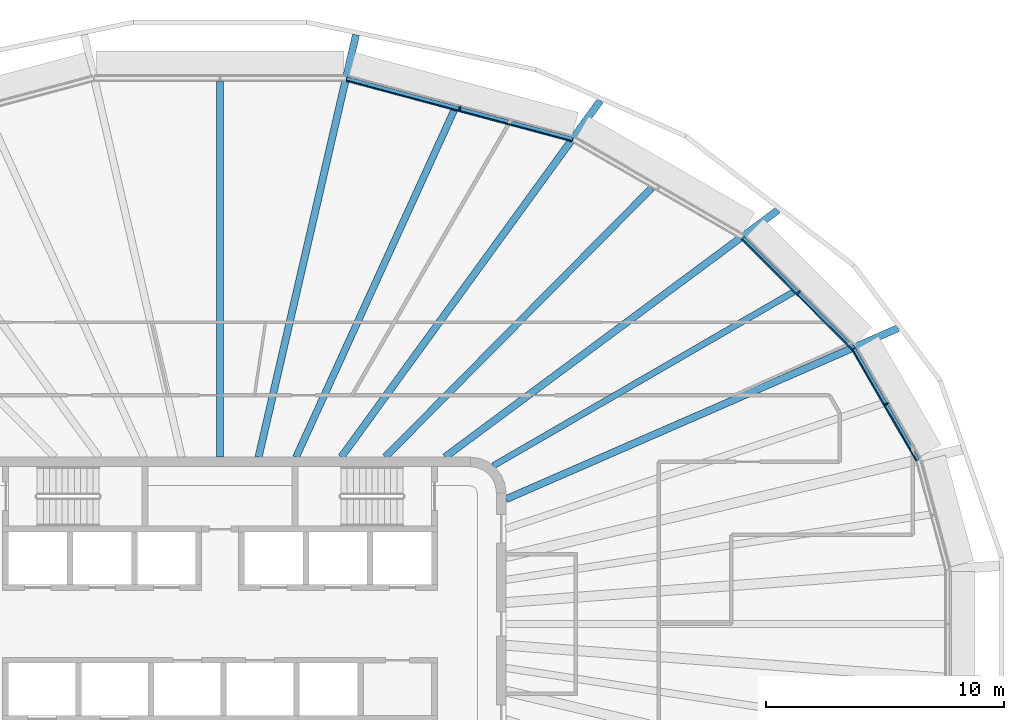
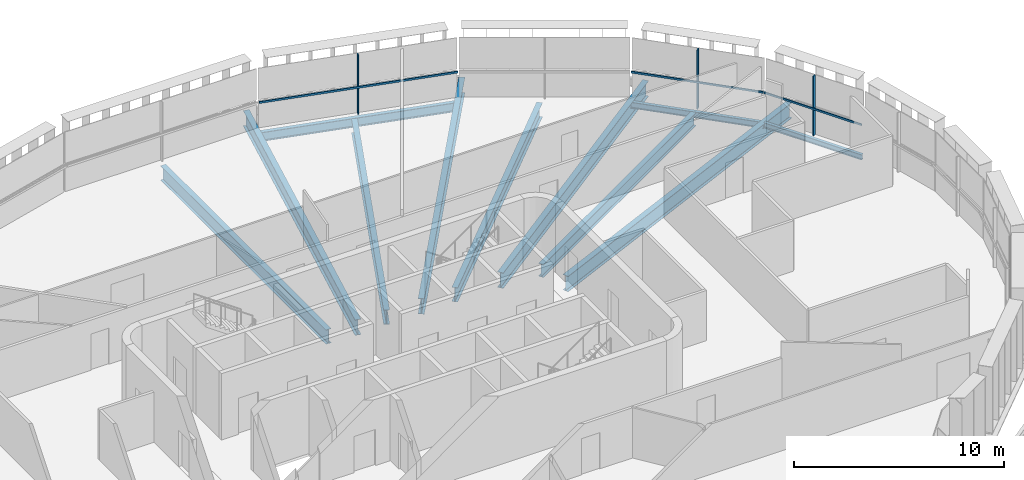
# One storey, part 6 of 20: 11 beams, 6 members, 3 elements without a shape of their own.
"""IFC4 building model written with IfcOpenShell, lengths in metres."""

from ifc_helpers import new_model, si_unit, direction, frame, origin, origin_2d, place, context, subcontext, project, spatial, rectangle, i_section, extrude, material, layer, layer_set, material_profile, profile_set, type_object, element, aggregate, save


model = new_model("IFC4")

# Units and contexts
model_context = context("Model", 3, precision=1e-05, world=origin(), true_north=direction((0.0, 1.0)))
body_context = subcontext(model_context, "Body", "Model", "MODEL_VIEW")
ifc_project = project(units=[si_unit("LENGTHUNIT", "METRE"), si_unit("AREAUNIT", "SQUARE_METRE"), si_unit("VOLUMEUNIT", "CUBIC_METRE"), si_unit("PLANEANGLEUNIT", "RADIAN"), si_unit("MASSUNIT", "GRAM", prefix="KILO")], contexts=[model_context])

# Site, building, storey
site_placement = place(None, origin())
site = spatial("IfcSite", under=ifc_project, at=site_placement, CompositionType="ELEMENT")
building_placement = place(site_placement, origin())
building = spatial("IfcBuilding", under=site, at=building_placement, Name="Sahrelin Media Tower", CompositionType="ELEMENT")
storey_placement = place(building_placement, frame((0.0, 0.0, 209.60009765625)))
storey = spatial("IfcBuildingStorey", under=building, at=storey_placement, Name="L44", CompositionType="ELEMENT", Elevation=209.60009765625)

# Beams
ifc_material_1 = material(Name="Steel S355", Category="steel")
ifc_material_profile_1 = material_profile(ifc_material_1, i_section(OverallWidth=0.1650390625, OverallDepth=0.303466796875, WebThickness=0.006103515625, FlangeThickness=0.01025390625, FilletRadius=0.0087890625, at=origin_2d()), Name="UB 305x165x40")
ifc_profile_set_1 = profile_set([ifc_material_profile_1], Name="Steel S355")
beam_type_1 = type_object("IfcBeamType", Name="Edge beam EB2", PredefinedType="BEAM", material=ifc_profile_set_1)
beam_1_placement = place(storey_placement, frame((26.58544921875, 11.538818359375, -0.3017578125), z_axis=(0.500001105423, -0.866024765567, 0.0), x_axis=(0.866024765567, 0.500001105423, 0.0)))
element("IfcBeam", 1, at=beam_1_placement, inside=storey, type_object=beam_type_1, Name="Edge beam L44-23", PredefinedType="BEAM", context=body_context, shape_type="SweptSolid", body=[
    extrude(i_section(OverallWidth=0.1650390625, OverallDepth=0.303466796875, WebThickness=0.006103515625, FlangeThickness=0.01025390625, FilletRadius=0.0087890625, at=origin_2d()), origin(), (0.0, 0.0, 1.0), 5.384765625),
])
ifc_material_profile_2 = material_profile(ifc_material_1, i_section(OverallWidth=0.17138671875, OverallDepth=0.35498046875, WebThickness=0.00732421875, FlangeThickness=0.011474609375, FilletRadius=0.01025390625, at=origin_2d()), Name="UB 356x171x51")
ifc_profile_set_2 = profile_set([ifc_material_profile_2], Name="Steel S355")
beam_type_2 = type_object("IfcBeamType", Name="Edge beam EB3", PredefinedType="BEAM", material=ifc_profile_set_2)
beam_2_placement = place(storey_placement, frame((21.93212890625, 16.197509765625, -0.32763671875), z_axis=(0.707106781187, -0.707106781187, 0.0), x_axis=(0.707106781187, 0.707106781187, 0.0)))
element("IfcBeam", 2, at=beam_2_placement, inside=storey, type_object=beam_type_2, Name="Edge beam L44-22", PredefinedType="BEAM", context=body_context, shape_type="SweptSolid", body=[
    extrude(i_section(OverallWidth=0.17138671875, OverallDepth=0.35498046875, WebThickness=0.00732421875, FlangeThickness=0.011474609375, FilletRadius=0.01025390625, at=origin_2d()), origin(), (0.0, 0.0, 1.0), 6.556396484375),
])
ifc_material_profile_3 = material_profile(ifc_material_1, i_section(OverallWidth=0.208740234375, OverallDepth=0.5283203125, WebThickness=0.009521484375, FlangeThickness=0.01318359375, FilletRadius=0.0126953125, at=origin_2d()), Name="UB 533x210x82")
ifc_profile_set_3 = profile_set([ifc_material_profile_3], Name="Steel S355")
beam_type_3 = type_object("IfcBeamType", Name="Edge beam EB6", PredefinedType="BEAM", material=ifc_profile_set_3)
beam_3_placement = place(storey_placement, frame((5.303955078125, 22.86181640625, -0.414306640625), z_axis=(0.965931078652, -0.258799442223, 0.0), x_axis=(0.258799442223, 0.965931078652, 0.0)))
element("IfcBeam", 3, at=beam_3_placement, inside=storey, type_object=beam_type_3, Name="Edge beam L44-20", PredefinedType="BEAM", context=body_context, shape_type="SweptSolid", body=[
    extrude(i_section(OverallWidth=0.208740234375, OverallDepth=0.5283203125, WebThickness=0.009521484375, FlangeThickness=0.01318359375, FilletRadius=0.0126953125, at=origin_2d()), origin(), (0.0, 0.0, 1.0), 9.8232421875),
])

# Curtain wall, member
ifc_material_2 = material(Name="Champagne anodised aluminium 6063-T6", Category="aluminium")
ifc_layer = layer(ifc_material_2, 0.14990234375)
ifc_layer_set = layer_set([ifc_layer], Name="Tower ribbon curtain wall")
curtain_wall_type = type_object("IfcCurtainWallType", Name="Tower ribbon curtain wall", PredefinedType="NOTDEFINED", material=ifc_layer_set)
curtain_wall_1_placement = place(storey_placement, frame((28.0615234375, 9.281982421875, 0.0), z_axis=(0.0, 0.0, 1.0), x_axis=(1.0, 0.0, 0.0)))
curtain_wall_1 = element("IfcCurtainWall", 4, at=curtain_wall_1_placement, inside=storey, type_object=curtain_wall_type, Name="L44:CW:L44-02", PredefinedType="NOTDEFINED")
ifc_material_profile_4 = material_profile(ifc_material_2, rectangle(XDim=0.06005859375, YDim=0.175048828125, at=origin_2d()), Name="Mullion 60x175")
ifc_profile_set_4 = profile_set([ifc_material_profile_4], Name="Champagne anodised aluminium 6063-T6")
member_type_1 = type_object("IfcMemberType", Name="Mullion 60x175 CW1B", PredefinedType="MULLION", material=ifc_profile_set_4)
member_1_placement = place(storey_placement, frame((27.968505859375, 9.228271484375, 0.0), z_axis=(0.0, 0.0, 1.0), x_axis=(-0.500001511499, 0.866024531118, 0.0)))
member_1 = element("IfcMember", 5, at=member_1_placement, type_object=member_type_1, Name="L44:CWM:L44-02", PredefinedType="MULLION", context=body_context, shape_type="SweptSolid", body=[
    extrude(rectangle(XDim=0.06005859375, YDim=0.175048828125, at=origin_2d()), origin(), (0.0, 0.0, 1.0), 3.448486328125),
])

curtain_wall_2_placement = place(storey_placement, frame((24.356201171875, 13.985595703125, 0.0), z_axis=(0.0, 0.0, 1.0), x_axis=(1.0, 0.0, 0.0)))
curtain_wall_2 = element("IfcCurtainWall", 6, at=curtain_wall_2_placement, inside=storey, type_object=curtain_wall_type, Name="L44:CW:L44-03", PredefinedType="NOTDEFINED")
member_2_placement = place(storey_placement, frame((24.280029296875, 13.90966796875, 0.0), z_axis=(0.0, 0.0, 1.0), x_axis=(-0.707106781187, 0.707106781187, 0.0)))
member_2 = element("IfcMember", 7, at=member_2_placement, type_object=member_type_1, Name="L44:CWM:L44-03", PredefinedType="MULLION", context=body_context, shape_type="SweptSolid", body=[
    extrude(rectangle(XDim=0.06005859375, YDim=0.175048828125, at=origin_2d()), origin(), (0.0, 0.0, 1.0), 3.448486328125),
])

curtain_wall_3_placement = place(storey_placement, frame((10.087158203125, 21.735595703125, 0.0), z_axis=(0.0, 0.0, 1.0), x_axis=(1.0, 0.0, 0.0)))
curtain_wall_3 = element("IfcCurtainWall", 8, at=curtain_wall_3_placement, inside=storey, type_object=curtain_wall_type, Name="L44:CW:L44-05", PredefinedType="NOTDEFINED")
member_3_placement = place(storey_placement, frame((10.05908203125, 21.6318359375, 0.0), z_axis=(0.0, 0.0, 1.0), x_axis=(-0.965927633163, 0.258812301662, 0.0)))
member_3 = element("IfcMember", 9, at=member_3_placement, type_object=member_type_1, Name="L44:CWM:L44-05", PredefinedType="MULLION", context=body_context, shape_type="SweptSolid", body=[
    extrude(rectangle(XDim=0.06005859375, YDim=0.175048828125, at=origin_2d()), origin(), (0.0, 0.0, 1.0), 3.448486328125),
])

# Beams
ifc_material_profile_5 = material_profile(ifc_material_1, i_section(OverallWidth=0.30322265625, OverallDepth=0.903076171875, WebThickness=0.01513671875, FlangeThickness=0.020263671875, FilletRadius=0.01904296875, at=origin_2d()), Name="UB 914x305x201")
ifc_profile_set_5 = profile_set([ifc_material_profile_5], Name="Steel S355")
beam_type_4 = type_object("IfcBeamType", Name="Radial primary beam PB11", PredefinedType="BEAM", material=ifc_profile_set_5)
beam_4_placement = place(storey_placement, frame((12.0, 5.2333984375, -0.6015625), z_axis=(0.91662503757, 0.399748096305, 0.0), x_axis=(-0.399748096305, 0.91662503757, 0.0)))
element("IfcBeam", 10, at=beam_4_placement, inside=storey, type_object=beam_type_4, Name="Radial beam L44-03", PredefinedType="BEAM", context=body_context, shape_type="SweptSolid", body=[
    extrude(i_section(OverallWidth=0.30322265625, OverallDepth=0.903076171875, WebThickness=0.01513671875, FlangeThickness=0.020263671875, FilletRadius=0.01904296875, at=origin_2d()), origin(), (0.0, 0.0, 1.0), 17.946533203125),
])
beam_5_placement = place(storey_placement, frame((9.437744140625, 7.0, -0.6015625), z_axis=(0.803188973655, 0.595724326009, 0.0), x_axis=(-0.595724326009, 0.803188973655, 0.0)))
element("IfcBeam", 11, at=beam_5_placement, inside=storey, type_object=beam_type_4, Name="Radial beam L44-04", PredefinedType="BEAM", context=body_context, shape_type="SweptSolid", body=[
    extrude(i_section(OverallWidth=0.30322265625, OverallDepth=0.903076171875, WebThickness=0.01513671875, FlangeThickness=0.020263671875, FilletRadius=0.01904296875, at=origin_2d()), origin(), (0.0, 0.0, 1.0), 17.40234375),
])
beam_6_placement = place(storey_placement, frame((5.086669921875, 7.0, -0.6015625), z_axis=(0.587849769231, 0.808970116145, 0.0), x_axis=(-0.808970116145, 0.587849769231, 0.0)))
element("IfcBeam", 12, at=beam_6_placement, inside=storey, type_object=beam_type_4, Name="Radial beam L44-05", PredefinedType="BEAM", context=body_context, shape_type="SweptSolid", body=[
    extrude(i_section(OverallWidth=0.30322265625, OverallDepth=0.903076171875, WebThickness=0.01513671875, FlangeThickness=0.020263671875, FilletRadius=0.01904296875, at=origin_2d()), origin(), (0.0, 0.0, 1.0), 18.490478515625),
])
beam_7_placement = place(storey_placement, frame((1.614990234375, 7.0, -0.6015625), z_axis=(0.224784995262, 0.974408387641, 0.0), x_axis=(-0.974408387641, 0.224784995262, 0.0)))
element("IfcBeam", 13, at=beam_7_placement, inside=storey, type_object=beam_type_4, Name="Radial beam L44-06", PredefinedType="BEAM", context=body_context, shape_type="SweptSolid", body=[
    extrude(i_section(OverallWidth=0.30322265625, OverallDepth=0.903076171875, WebThickness=0.01513671875, FlangeThickness=0.020263671875, FilletRadius=0.01904296875, at=origin_2d()), origin(), (0.0, 0.0, 1.0), 18.186767578125),
])
ifc_material_profile_6 = material_profile(ifc_material_1, i_section(OverallWidth=0.291748046875, OverallDepth=0.8349609375, WebThickness=0.013916015625, FlangeThickness=0.018798828125, FilletRadius=0.017822265625, at=origin_2d()), Name="UB 838x292x176")
ifc_profile_set_6 = profile_set([ifc_material_profile_6], Name="Steel S355")
beam_type_5 = type_object("IfcBeamType", Name="Radial secondary beam SB10", PredefinedType="BEAM", material=ifc_profile_set_6)
beam_8_placement = place(storey_placement, frame((6.931884765625, 7.0, -0.567626953125), z_axis=(0.703642558186, 0.710554114976, 0.0), x_axis=(-0.710554114976, 0.703642558186, 0.0)))
element("IfcBeam", 14, at=beam_8_placement, inside=storey, type_object=beam_type_5, Name="Secondary beam L44-04", PredefinedType="BEAM", context=body_context, shape_type="SweptSolid", body=[
    extrude(i_section(OverallWidth=0.291748046875, OverallDepth=0.8349609375, WebThickness=0.013916015625, FlangeThickness=0.018798828125, FilletRadius=0.017822265625, at=origin_2d()), origin(), (0.0, 0.0, 1.0), 15.8955078125),
])
beam_9_placement = place(storey_placement, frame((3.189697265625, 7.0, -0.567626953125), z_axis=(0.414662432786, 0.909975311113, 0.0), x_axis=(-0.909975311113, 0.414662432786, 0.0)))
element("IfcBeam", 15, at=beam_9_placement, inside=storey, type_object=beam_type_5, Name="Secondary beam L44-05", PredefinedType="BEAM", context=body_context, shape_type="SweptSolid", body=[
    extrude(i_section(OverallWidth=0.291748046875, OverallDepth=0.8349609375, WebThickness=0.013916015625, FlangeThickness=0.018798828125, FilletRadius=0.017822265625, at=origin_2d()), origin(), (0.0, 0.0, 1.0), 15.9833984375),
])
beam_10_placement = place(storey_placement, frame((0.0, 7.0, -0.567626953125), z_axis=(0.0, 1.0, 0.0), x_axis=(-1.0, 0.0, 0.0)))
element("IfcBeam", 16, at=beam_10_placement, inside=storey, type_object=beam_type_5, Name="Secondary beam L44-06", PredefinedType="BEAM", context=body_context, shape_type="SweptSolid", body=[
    extrude(i_section(OverallWidth=0.291748046875, OverallDepth=0.8349609375, WebThickness=0.013916015625, FlangeThickness=0.018798828125, FilletRadius=0.017822265625, at=origin_2d()), origin(), (0.0, 0.0, 1.0), 15.751953125),
])
ifc_material_profile_7 = material_profile(ifc_material_1, i_section(OverallWidth=0.26513671875, OverallDepth=0.75390625, WebThickness=0.0126953125, FlangeThickness=0.017578125, FilletRadius=0.0166015625, at=origin_2d()), Name="UB 762x267x147")
ifc_profile_set_7 = profile_set([ifc_material_profile_7], Name="Steel S355")
beam_type_6 = type_object("IfcBeamType", Name="Radial secondary beam SB9", PredefinedType="BEAM", material=ifc_profile_set_7)
beam_11_placement = place(storey_placement, frame((11.46337890625, 6.63525390625, -0.527099609375), z_axis=(0.865468345638, 0.500963614146, 0.0), x_axis=(-0.500963614146, 0.865468345638, 0.0)))
element("IfcBeam", 17, at=beam_11_placement, inside=storey, type_object=beam_type_6, Name="Secondary beam L44-03", PredefinedType="BEAM", context=body_context, shape_type="SweptSolid", body=[
    extrude(i_section(OverallWidth=0.26513671875, OverallDepth=0.75390625, WebThickness=0.0126953125, FlangeThickness=0.017578125, FilletRadius=0.0166015625, at=origin_2d()), origin(), (0.0, 0.0, 1.0), 14.570556640625),
])

# Member
ifc_material_profile_8 = material_profile(ifc_material_2, rectangle(XDim=0.050048828125, YDim=0.110107421875, at=origin_2d()), Name="Transom 50x110")
ifc_profile_set_8 = profile_set([ifc_material_profile_8], Name="Champagne anodised aluminium 6063-T6")
member_type_2 = type_object("IfcMemberType", Name="Transom 50x110 CW1B", PredefinedType="USERDEFINED", material=ifc_profile_set_8)
member_4_placement = place(storey_placement, frame((29.20947265625, 6.85400390625, 1.599853515625), z_axis=(-0.500023797175, 0.866011664043, 0.0), x_axis=(-0.866011664043, -0.500023797175, 0.0)))
member_4 = element("IfcMember", 18, at=member_4_placement, type_object=member_type_2, Name="L44:CWT:L44-02", ObjectType="TRANSOM", PredefinedType="USERDEFINED", context=body_context, shape_type="SweptSolid", body=[
    extrude(rectangle(XDim=0.050048828125, YDim=0.110107421875, at=origin_2d()), origin(), (0.0, 0.0, 1.0), 5.353271484375),
])

aggregate(curtain_wall_1, [member_1, member_4])

member_5_placement = place(storey_placement, frame((26.50732421875, 11.523193359375, 1.599853515625), z_axis=(-0.707088071936, 0.707125489942, 0.0), x_axis=(-0.707125489942, -0.707088071936, 0.0)))
member_5 = element("IfcMember", 19, at=member_5_placement, type_object=member_type_2, Name="L44:CWT:L44-03", ObjectType="TRANSOM", PredefinedType="USERDEFINED", context=body_context, shape_type="SweptSolid", body=[
    extrude(rectangle(XDim=0.050048828125, YDim=0.110107421875, at=origin_2d()), origin(), (0.0, 0.0, 1.0), 6.524658203125),
])

aggregate(curtain_wall_2, [member_2, member_5])

member_6_placement = place(storey_placement, frame((14.75927734375, 20.256103515625, 1.599853515625), z_axis=(-0.965929688703, 0.258804629946, 0.0), x_axis=(-0.258804629946, -0.965929688703, 0.0)))
member_6 = element("IfcMember", 20, at=member_6_placement, type_object=member_type_2, Name="L44:CWT:L44-05", ObjectType="TRANSOM", PredefinedType="USERDEFINED", context=body_context, shape_type="SweptSolid", body=[
    extrude(rectangle(XDim=0.050048828125, YDim=0.110107421875, at=origin_2d()), origin(), (0.0, 0.0, 1.0), 9.791748046875),
])

aggregate(curtain_wall_3, [member_3, member_6])

save(model, "model.ifc")
